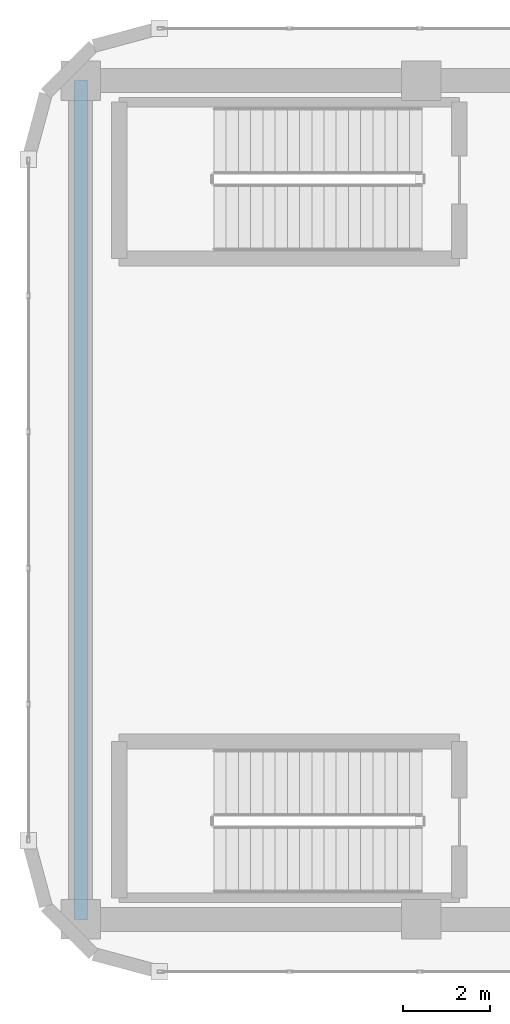
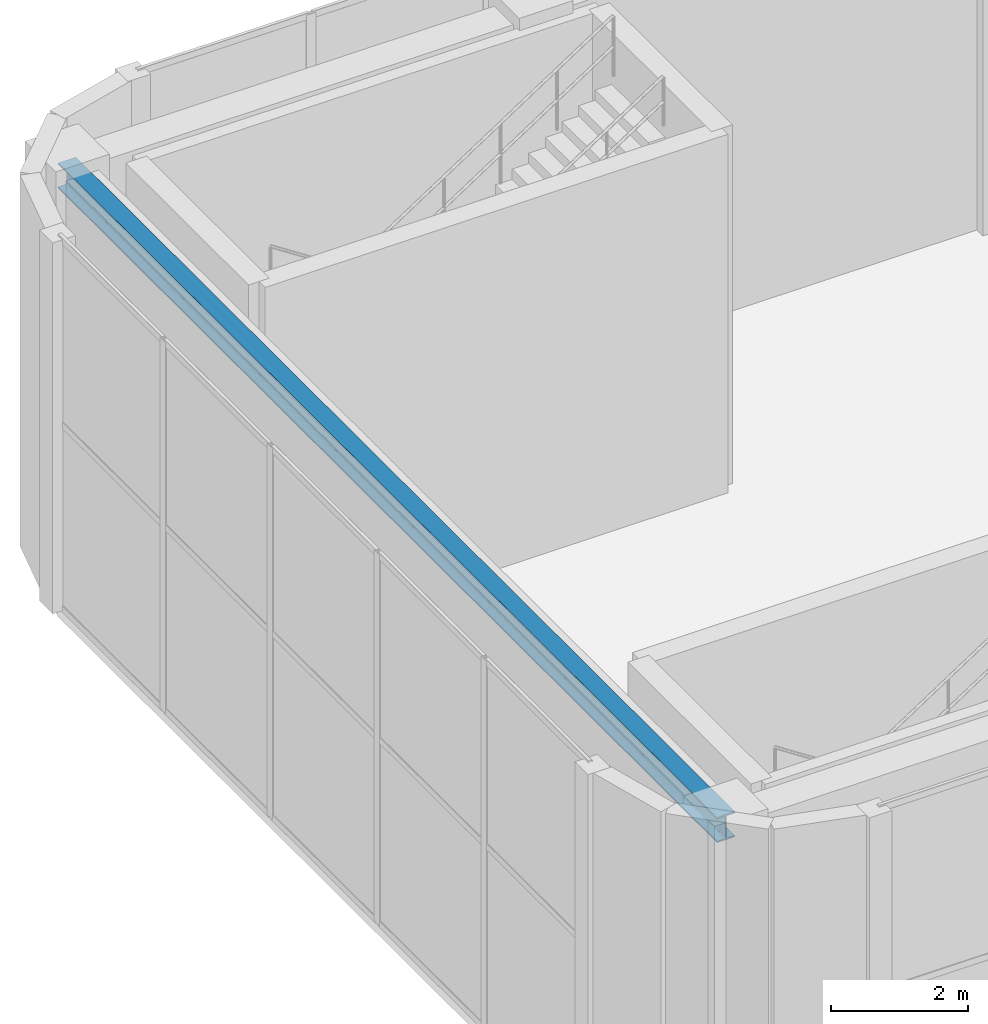
# One storey, part 6 of 19: 1 beam.
"""IFC4 building model written with IfcOpenShell, lengths in metres."""

from ifc_helpers import new_model, si_unit, direction, frame, origin, origin_2d, place, context, subcontext, project, spatial, i_section, extrude, material, material_profile, profile_set, type_object, element, save


model = new_model("IFC4")

# Units and contexts
model_context = context("Model", 3, precision=1e-05, world=origin(), true_north=direction((0.0, 1.0)))
body_context = subcontext(model_context, "Body", "Model", "MODEL_VIEW")
ifc_project = project(units=[si_unit("LENGTHUNIT", "METRE"), si_unit("AREAUNIT", "SQUARE_METRE"), si_unit("VOLUMEUNIT", "CUBIC_METRE"), si_unit("PLANEANGLEUNIT", "RADIAN"), si_unit("MASSUNIT", "GRAM", prefix="KILO")], contexts=[model_context])

# Site, building, storey
site_placement = place(None, origin())
site = spatial("IfcSite", under=ifc_project, at=site_placement, CompositionType="ELEMENT")
building_placement = place(site_placement, origin())
building = spatial("IfcBuilding", under=site, at=building_placement, Name="An Khanh Terracotta Commons", CompositionType="ELEMENT")
storey_placement = place(building_placement, frame((0.0, 0.0, 328.800048828125)))
storey = spatial("IfcBuildingStorey", under=building, at=storey_placement, Name="L82 Crown Faceted Taper", CompositionType="ELEMENT", Elevation=328.800048828125)

# Beam
ifc_material = material(Name="Steel S355J2", Category="steel")
ifc_material_profile = material_profile(ifc_material, i_section(OverallWidth=0.300048828125, OverallDepth=0.449951171875, WebThickness=0.013916015625, FlangeThickness=0.02587890625, FilletRadius=0.027099609375, at=origin_2d()), Name="HEB450")
ifc_profile_set = profile_set([ifc_material_profile], Name="Steel S355J2")
beam_type = type_object("IfcBeamType", Name="BM-HEB450", PredefinedType="BEAM", material=ifc_profile_set)
beam_placement = place(storey_placement, frame((21.60009765625, 14.39990234375, 6.155029296875), z_axis=(0.0, 1.0, 0.0), x_axis=(-1.0, 0.0, 0.0)))
element("IfcBeam", 1, at=beam_placement, inside=storey, type_object=beam_type, Name="L82 Crown Faceted Taper Core West Coupling Girder", PredefinedType="BEAM", context=body_context, shape_type="SweptSolid", body=[
    extrude(i_section(OverallWidth=0.300048828125, OverallDepth=0.449951171875, WebThickness=0.013916015625, FlangeThickness=0.02587890625, FilletRadius=0.027099609375, at=origin_2d()), origin(), (0.0, 0.0, 1.0), 19.2001953125),
])

save(model, "model.ifc")
